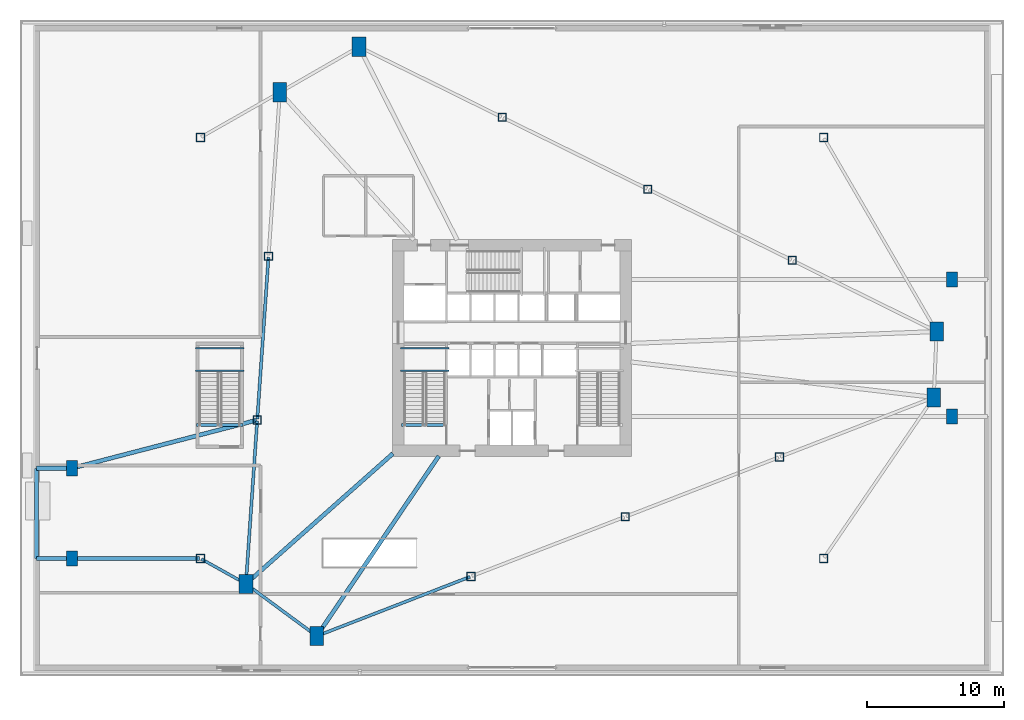
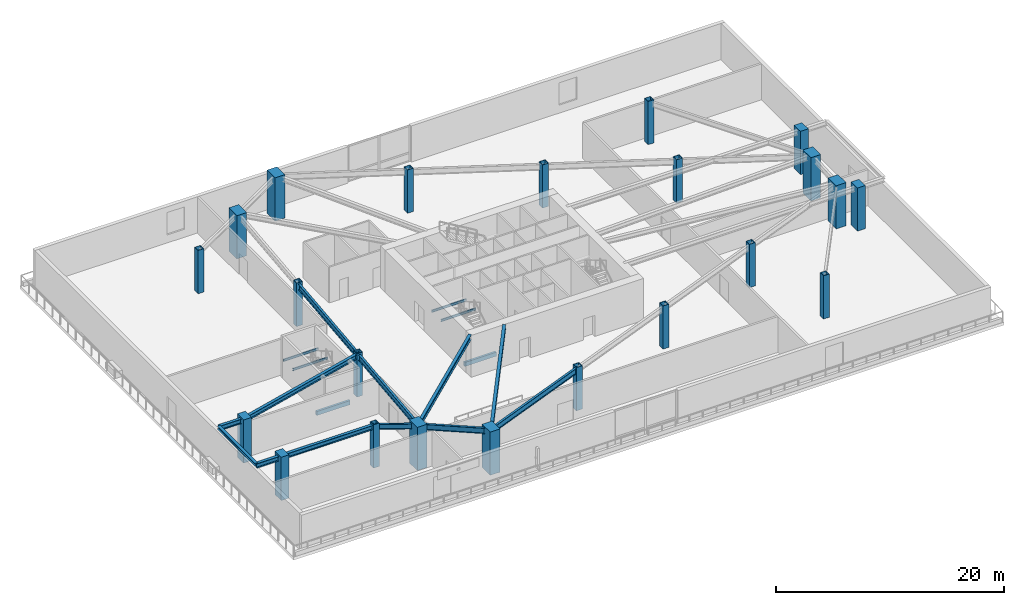
# One storey, part 1 of 14: 22 columns, 18 beams.
"""IFC4 building model written with IfcOpenShell, lengths in metres."""

from ifc_helpers import new_model, si_unit, direction, frame, origin, origin_2d, place, context, subcontext, project, spatial, rectangle, hollow_rectangle, i_section, extrude, source, transform, mapped, material, material_profile, profile_set, type_object, element, save


model = new_model("IFC4")

# Units and contexts
model_context = context("Model", 3, precision=1e-05, world=origin(), true_north=direction((0.0, 1.0)))
body_context = subcontext(model_context, "Body", "Model", "MODEL_VIEW")
ifc_project = project(units=[si_unit("LENGTHUNIT", "METRE"), si_unit("AREAUNIT", "SQUARE_METRE"), si_unit("VOLUMEUNIT", "CUBIC_METRE"), si_unit("PLANEANGLEUNIT", "RADIAN"), si_unit("MASSUNIT", "GRAM", prefix="KILO")], contexts=[model_context])

# Site, building, storey
site_placement = place(None, origin())
site = spatial("IfcSite", under=ifc_project, at=site_placement, CompositionType="ELEMENT")
building_placement = place(site_placement, origin())
building = spatial("IfcBuilding", under=site, at=building_placement, Name="Olszyna Solenne Hotel", CompositionType="ELEMENT")
storey_placement = place(building_placement, frame((0.0, 0.0, 5.39990234375)))
storey = spatial("IfcBuildingStorey", under=building, at=storey_placement, Name="L01", CompositionType="ELEMENT", Elevation=5.39990234375)

# Columns
ifc_material_1 = material(Name="Concrete C60/75", Category="concrete")
ifc_material_profile_1 = material_profile(ifc_material_1, rectangle(XDim=1.0, YDim=1.39990234375, at=origin_2d()), Name="RC 1400x1000", Category="load-bearing")
ifc_profile_set_1 = profile_set([ifc_material_profile_1], Name="Concrete C60/75")
column_type_1 = type_object("IfcColumnType", Name="COL-P1", PredefinedType="COLUMN", material=ifc_profile_set_1)
shared_shape_1 = source(origin(), body_context, "Body", "SweptSolid", [
    extrude(rectangle(XDim=1.0, YDim=1.39990234375, at=origin_2d()), origin(), (0.0, 0.0, 1.0), 4.635009765625),
])
for number, where, z_axis, x_axis, name in (
    (1, (68.858154296875, 22.984619140625, 0.0), (0.0, 0.0, 1.0), (1.0, 0.0, 0.0), "Podium mega-column COL-P1 C-L01-P1-01"),
    (2, (69.072509765625, 27.802978515625, 0.0), (0.0, 0.0, 1.0), (1.0, 0.0, 0.0), "Podium mega-column COL-P1 C-L01-P1-02"),
    (3, (26.808837890625, 48.6416015625, 0.0), (0.0, 0.0, 1.0), (1.0, 0.0, 0.0), "Podium mega-column COL-P1 C-L01-P1-03"),
    (4, (21.014404296875, 45.309326171875, 0.0), (0.0, 0.0, 1.0), (1.0, 0.0, 0.0), "Podium mega-column COL-P1 C-L01-P1-04"),
    (5, (18.53173828125, 9.34130859375, 0.0), (0.0, 0.0, 1.0), (1.0, 0.0, 0.0), "Podium mega-column COL-P1 C-L01-P1-05"),
    (6, (23.71435546875, 5.520263671875, 0.0), (0.0, 0.0, 1.0), (1.0, 0.0, 0.0), "Podium mega-column COL-P1 C-L01-P1-06"),
):
    element("IfcColumn", number, at=place(storey_placement, frame(where, z_axis=z_axis, x_axis=x_axis)), inside=storey, type_object=column_type_1, Name=name, PredefinedType="COLUMN", context=body_context, shape_type="MappedRepresentation", body=[
        mapped(shared_shape_1, transform((0.0, 0.0, 0.0), x_axis=(1.0, 0.0, 0.0), y_axis=(0.0, 1.0, 0.0), z_axis=(0.0, 0.0, 1.0), scale=1.0)),
    ])
ifc_material_2 = material(Name="Steel S460M", Category="steel")
ifc_material_profile_2 = material_profile(ifc_material_2, hollow_rectangle(XDim=0.60009765625, YDim=0.60009765625, WallThickness=0.034912109375, at=origin_2d()), Name="SHS 600x600x35", Category="load-bearing")
ifc_profile_set_2 = profile_set([ifc_material_profile_2], Name="Steel S460M")
column_type_2 = type_object("IfcColumnType", Name="COL-P2", PredefinedType="COLUMN", material=ifc_profile_set_2)
shared_shape_2 = source(origin(), body_context, "Body", "SweptSolid", [
    extrude(hollow_rectangle(XDim=0.60009765625, YDim=0.60009765625, WallThickness=0.034912109375, at=origin_2d()), origin(), (0.0, 0.0, 1.0), 4.635009765625),
])
for number, where, z_axis, x_axis, name in (
    (7, (15.199951171875, 11.199951171875, 0.0), (0.0, 0.0, 1.0), (1.0, 0.0, 0.0), "Podium mega-column COL-P2 C-L01-P2-01"),
    (8, (15.199951171875, 42.0, 0.0), (0.0, 0.0, 1.0), (1.0, 0.0, 0.0), "Podium mega-column COL-P2 C-L01-P2-02"),
    (9, (60.800048828125, 11.199951171875, 0.0), (0.0, 0.0, 1.0), (1.0, 0.0, 0.0), "Podium mega-column COL-P2 C-L01-P2-03"),
    (10, (60.800048828125, 42.0, 0.0), (0.0, 0.0, 1.0), (1.0, 0.0, 0.0), "Podium mega-column COL-P2 C-L01-P2-04"),
    (11, (58.506591796875, 33.0126953125, 0.0), (0.0, 0.0, 1.0), (1.0, 0.0, 0.0), "Podium transfer-support column COL-P2 C-L01-TG-01"),
    (12, (47.94091796875, 38.222412109375, 0.0), (0.0, 0.0, 1.0), (1.0, 0.0, 0.0), "Podium transfer-support column COL-P2 C-L01-TG-02"),
    (13, (37.287109375, 43.47509765625, 0.0), (0.0, 0.0, 1.0), (1.0, 0.0, 0.0), "Podium transfer-support column COL-P2 C-L01-TG-03"),
    (14, (20.186767578125, 33.320068359375, 0.0), (0.0, 0.0, 1.0), (1.0, 0.0, 0.0), "Podium transfer-support column COL-P2 C-L01-TG-04"),
    (15, (19.359375, 21.33056640625, 0.0), (0.0, 0.0, 1.0), (1.0, 0.0, 0.0), "Podium transfer-support column COL-P2 C-L01-TG-05"),
    (16, (35.000244140625, 9.88623046875, 0.0), (0.0, 0.0, 1.0), (1.0, 0.0, 0.0), "Podium transfer-support column COL-P2 C-L01-TG-06"),
    (17, (46.2861328125, 14.25244140625, 0.0), (0.0, 0.0, 1.0), (1.0, 0.0, 0.0), "Podium transfer-support column COL-P2 C-L01-TG-07"),
    (18, (57.572265625, 18.618408203125, 0.0), (0.0, 0.0, 1.0), (1.0, 0.0, 0.0), "Podium transfer-support column COL-P2 C-L01-TG-08"),
):
    element("IfcColumn", number, at=place(storey_placement, frame(where, z_axis=z_axis, x_axis=x_axis)), inside=storey, type_object=column_type_2, Name=name, PredefinedType="COLUMN", context=body_context, shape_type="MappedRepresentation", body=[
        mapped(shared_shape_2, transform((0.0, 0.0, 0.0), x_axis=(1.0, 0.0, 0.0), y_axis=(0.0, 1.0, 0.0), z_axis=(0.0, 0.0, 1.0), scale=1.0)),
    ])
ifc_material_3 = material(Name="Concrete C50/60", Category="concrete")
ifc_material_profile_3 = material_profile(ifc_material_3, rectangle(XDim=0.800048828125, YDim=1.10009765625, at=origin_2d()), Name="RC 1100x800", Category="load-bearing")
ifc_profile_set_3 = profile_set([ifc_material_profile_3], Name="Concrete C50/60")
column_type_3 = type_object("IfcColumnType", Name="COL-B1", PredefinedType="COLUMN", material=ifc_profile_set_3)
shared_shape_3 = source(origin(), body_context, "Body", "SweptSolid", [
    extrude(rectangle(XDim=0.800048828125, YDim=1.10009765625, at=origin_2d()), origin(), (0.0, 0.0, 1.0), 4.635009765625),
])
for number, where, z_axis, x_axis, name in (
    (19, (5.800048828125, 11.199951171875, 0.0), (0.0, 0.0, 1.0), (1.0, 0.0, 0.0), "Terrace support RC column COL-B1 C-L01-TC-118"),
    (20, (5.800048828125, 17.800048828125, 0.0), (0.0, 0.0, 1.0), (1.0, 0.0, 0.0), "Terrace support RC column COL-B1 C-L01-TC-119"),
    (21, (70.199951171875, 21.60009765625, 0.0), (0.0, 0.0, 1.0), (1.0, 0.0, 0.0), "Terrace support RC column COL-B1 C-L01-TC-120"),
    (22, (70.199951171875, 31.60009765625, 0.0), (0.0, 0.0, 1.0), (1.0, 0.0, 0.0), "Terrace support RC column COL-B1 C-L01-TC-121"),
):
    element("IfcColumn", number, at=place(storey_placement, frame(where, z_axis=z_axis, x_axis=x_axis)), inside=storey, type_object=column_type_3, Name=name, PredefinedType="COLUMN", context=body_context, shape_type="MappedRepresentation", body=[
        mapped(shared_shape_3, transform((0.0, 0.0, 0.0), x_axis=(1.0, 0.0, 0.0), y_axis=(0.0, 1.0, 0.0), z_axis=(0.0, 0.0, 1.0), scale=1.0)),
    ])

# Beams
ifc_material_4 = material(Name="Steel S355J2", Category="steel")
ifc_material_profile_4 = material_profile(ifc_material_4, i_section(OverallWidth=0.300048828125, OverallDepth=0.489990234375, WebThickness=0.011962890625, FlangeThickness=0.02294921875, at=origin_2d()), Name="HEA 500", Category="load-bearing")
ifc_profile_set_4 = profile_set([ifc_material_profile_4], Name="Steel S355J2")
beam_type_1 = type_object("IfcBeamType", Name="BM-G1", PredefinedType="BEAM", material=ifc_profile_set_4)
shared_shape_4 = source(origin(), body_context, "Body", "SweptSolid", [
    extrude(i_section(OverallWidth=0.300048828125, OverallDepth=0.489990234375, WebThickness=0.011962890625, FlangeThickness=0.02294921875, at=origin_2d()), origin(), (0.0, 0.0, 1.0), 14.293701171875),
])
beam_1_placement = place(storey_placement, frame((18.591552734375, 9.394287109375, 4.235107421875), z_axis=(0.748292597606, 0.663368817754, 0.0), x_axis=(-0.663368817754, 0.748292597606, 0.0)))
element("IfcBeam", 23, at=beam_1_placement, inside=storey, type_object=beam_type_1, Name="Podium radial girder BM-G1 B-L01-0072", PredefinedType="BEAM", context=body_context, shape_type="MappedRepresentation", body=[
    mapped(shared_shape_4, transform((0.0, 0.0, 0.0), x_axis=(1.0, 0.0, 0.0), y_axis=(0.0, 1.0, 0.0), z_axis=(0.0, 0.0, 1.0), scale=1.0)),
])
shared_shape_5 = source(origin(), body_context, "Body", "SweptSolid", [
    extrude(i_section(OverallWidth=0.300048828125, OverallDepth=0.489990234375, WebThickness=0.011962890625, FlangeThickness=0.02294921875, at=origin_2d()), origin(), (0.0, 0.0, 1.0), 15.830810546875),
])
beam_2_placement = place(storey_placement, frame((23.75927734375, 5.58642578125, 4.235107421875), z_axis=(0.561001243255, 0.827814958228, 0.0), x_axis=(-0.827814958228, 0.561001243255, 0.0)))
element("IfcBeam", 24, at=beam_2_placement, inside=storey, type_object=beam_type_1, Name="Podium radial girder BM-G1 B-L01-0074", PredefinedType="BEAM", context=body_context, shape_type="MappedRepresentation", body=[
    mapped(shared_shape_5, transform((0.0, 0.0, 0.0), x_axis=(1.0, 0.0, 0.0), y_axis=(0.0, 1.0, 0.0), z_axis=(0.0, 0.0, 1.0), scale=1.0)),
])
ifc_material_profile_5 = material_profile(ifc_material_4, i_section(OverallWidth=0.2099609375, OverallDepth=0.550048828125, WebThickness=0.010986328125, FlangeThickness=0.01708984375, at=origin_2d()), Name="IPE 550", Category="load-bearing")
ifc_profile_set_5 = profile_set([ifc_material_profile_5], Name="Steel S355J2")
beam_type_2 = type_object("IfcBeamType", Name="BM-F2", PredefinedType="BEAM", material=ifc_profile_set_5)
shared_shape_6 = source(origin(), body_context, "Body", "SweptSolid", [
    extrude(i_section(OverallWidth=0.2099609375, OverallDepth=0.550048828125, WebThickness=0.010986328125, FlangeThickness=0.01708984375, at=origin_2d()), origin(), (0.0, 0.0, 1.0), 3.655029296875),
])
beam_3_placement = place(storey_placement, frame((15.27001953125, 11.160888671875, 4.205078125), z_axis=(0.873286271012, -0.487207439251, 0.0), x_axis=(0.487207439251, 0.873286271012, 0.0)))
element("IfcBeam", 25, at=beam_3_placement, inside=storey, type_object=beam_type_2, Name="Podium terrace girder BM-F2 B-L01-0085", PredefinedType="BEAM", context=body_context, shape_type="MappedRepresentation", body=[
    mapped(shared_shape_6, transform((0.0, 0.0, 0.0), x_axis=(1.0, 0.0, 0.0), y_axis=(0.0, 1.0, 0.0), z_axis=(0.0, 0.0, 1.0), scale=1.0)),
])
shared_shape_7 = source(origin(), body_context, "Body", "SweptSolid", [
    extrude(i_section(OverallWidth=0.300048828125, OverallDepth=0.489990234375, WebThickness=0.011962890625, FlangeThickness=0.02294921875, at=origin_2d()), origin(), (0.0, 0.0, 1.0), 9.27978515625),
])
beam_4_placement = place(storey_placement, frame((5.860107421875, 11.199951171875, 4.235107421875), z_axis=(1.0, 0.0, 0.0), x_axis=(0.0, 1.0, 0.0)))
element("IfcBeam", 26, at=beam_4_placement, inside=storey, type_object=beam_type_1, Name="Terrace West interior back-span girder BM-G1 B-L01-0075", PredefinedType="BEAM", context=body_context, shape_type="MappedRepresentation", body=[
    mapped(shared_shape_7, transform((0.0, 0.0, 0.0), x_axis=(1.0, 0.0, 0.0), y_axis=(0.0, 1.0, 0.0), z_axis=(0.0, 0.0, 1.0), scale=1.0)),
])
shared_shape_8 = source(origin(), body_context, "Body", "SweptSolid", [
    extrude(i_section(OverallWidth=0.300048828125, OverallDepth=0.489990234375, WebThickness=0.011962890625, FlangeThickness=0.02294921875, at=origin_2d()), origin(), (0.0, 0.0, 1.0), 13.891357421875),
])
beam_5_placement = place(storey_placement, frame((5.858154296875, 17.815185546875, 4.235107421875), z_axis=(0.967734190158, 0.251973286677, 0.0), x_axis=(-0.251973286677, 0.967734190158, 0.0)))
element("IfcBeam", 27, at=beam_5_placement, inside=storey, type_object=beam_type_1, Name="Terrace West interior back-span girder BM-G1 B-L01-0077", PredefinedType="BEAM", context=body_context, shape_type="MappedRepresentation", body=[
    mapped(shared_shape_8, transform((0.0, 0.0, 0.0), x_axis=(1.0, 0.0, 0.0), y_axis=(0.0, 1.0, 0.0), z_axis=(0.0, 0.0, 1.0), scale=1.0)),
])
ifc_material_profile_6 = material_profile(ifc_material_4, i_section(OverallWidth=0.300048828125, OverallDepth=0.31005859375, WebThickness=0.009033203125, FlangeThickness=0.015380859375, at=origin_2d()), Name="HEA 320", Category="load-bearing")
ifc_profile_set_6 = profile_set([ifc_material_profile_6], Name="Steel S355J2")
beam_type_3 = type_object("IfcBeamType", Name="BM-G3", PredefinedType="BEAM", material=ifc_profile_set_6)
shared_shape_9 = source(origin(), body_context, "Body", "SweptSolid", [
    extrude(i_section(OverallWidth=0.300048828125, OverallDepth=0.31005859375, WebThickness=0.009033203125, FlangeThickness=0.015380859375, at=origin_2d()), origin(), (0.0, 0.0, 1.0), 6.60009765625),
])
beam_6_placement = place(storey_placement, frame((3.199951171875, 11.199951171875, 4.3251953125), z_axis=(0.0, 1.0, 0.0), x_axis=(-1.0, 0.0, 0.0)))
element("IfcBeam", 28, at=beam_6_placement, inside=storey, type_object=beam_type_3, Name="Terrace West rim beam BM-G3 B-L01-0079", PredefinedType="BEAM", context=body_context, shape_type="MappedRepresentation", body=[
    mapped(shared_shape_9, transform((0.0, 0.0, 0.0), x_axis=(1.0, 0.0, 0.0), y_axis=(0.0, 1.0, 0.0), z_axis=(0.0, 0.0, 1.0), scale=1.0)),
])
ifc_material_profile_7 = material_profile(ifc_material_4, i_section(OverallWidth=0.219970703125, OverallDepth=0.60009765625, WebThickness=0.011962890625, FlangeThickness=0.01904296875, at=origin_2d()), Name="IPE 600", Category="load-bearing")
ifc_profile_set_7 = profile_set([ifc_material_profile_7], Name="Steel S355J2")
beam_type_4 = type_object("IfcBeamType", Name="BM-F1", PredefinedType="BEAM", material=ifc_profile_set_7)
shared_shape_10 = source(origin(), body_context, "Body", "SweptSolid", [
    extrude(i_section(OverallWidth=0.219970703125, OverallDepth=0.60009765625, WebThickness=0.011962890625, FlangeThickness=0.01904296875, at=origin_2d()), origin(), (0.0, 0.0, 1.0), 11.85791015625),
])
for number, where, z_axis, x_axis, name in (
    (29, (20.181396484375, 33.240234375, 4.18017578125), (-0.068869217947, -0.997625696752, 0.0), (0.997625696752, -0.068869217947, 0.0), "Podium ring girder BM-F1 BRG-L01-42"),
    (30, (19.353759765625, 21.250732421875, 4.18017578125), (-0.068869217947, -0.997625696752, 0.0), (0.997625696752, -0.068869217947, 0.0), "Podium ring girder BM-F1 BRG-L01-43"),
):
    element("IfcBeam", number, at=place(storey_placement, frame(where, z_axis=z_axis, x_axis=x_axis)), inside=storey, type_object=beam_type_4, Name=name, PredefinedType="BEAM", context=body_context, shape_type="MappedRepresentation", body=[
        mapped(shared_shape_10, transform((0.0, 0.0, 0.0), x_axis=(1.0, 0.0, 0.0), y_axis=(0.0, 1.0, 0.0), z_axis=(0.0, 0.0, 1.0), scale=1.0)),
    ])
shared_shape_11 = source(origin(), body_context, "Body", "SweptSolid", [
    extrude(i_section(OverallWidth=0.219970703125, OverallDepth=0.60009765625, WebThickness=0.011962890625, FlangeThickness=0.01904296875, at=origin_2d()), origin(), (0.0, 0.0, 1.0), 6.27880859375),
])
beam_7_placement = place(storey_placement, frame((18.59619140625, 9.293701171875, 4.18017578125), z_axis=(0.804881840641, -0.593435103955, 0.0), x_axis=(0.593435103955, 0.804881840641, 0.0)))
element("IfcBeam", 31, at=beam_7_placement, inside=storey, type_object=beam_type_4, Name="Podium ring girder BM-F1 B-L01-0071", PredefinedType="BEAM", context=body_context, shape_type="MappedRepresentation", body=[
    mapped(shared_shape_11, transform((0.0, 0.0, 0.0), x_axis=(1.0, 0.0, 0.0), y_axis=(0.0, 1.0, 0.0), z_axis=(0.0, 0.0, 1.0), scale=1.0)),
])
shared_shape_12 = source(origin(), body_context, "Body", "SweptSolid", [
    extrude(i_section(OverallWidth=0.219970703125, OverallDepth=0.60009765625, WebThickness=0.011962890625, FlangeThickness=0.01904296875, at=origin_2d()), origin(), (0.0, 0.0, 1.0), 11.941162109375),
])
beam_8_placement = place(storey_placement, frame((23.788818359375, 5.549072265625, 4.18017578125), z_axis=(0.932645120915, 0.360795064314, 0.0), x_axis=(-0.360795064314, 0.932645120915, 0.0)))
element("IfcBeam", 32, at=beam_8_placement, inside=storey, type_object=beam_type_4, Name="Podium ring girder BM-F1 B-L01-0073", PredefinedType="BEAM", context=body_context, shape_type="MappedRepresentation", body=[
    mapped(shared_shape_12, transform((0.0, 0.0, 0.0), x_axis=(1.0, 0.0, 0.0), y_axis=(0.0, 1.0, 0.0), z_axis=(0.0, 0.0, 1.0), scale=1.0)),
])
shared_shape_13 = source(origin(), body_context, "Body", "SweptSolid", [
    extrude(i_section(OverallWidth=0.300048828125, OverallDepth=0.489990234375, WebThickness=0.011962890625, FlangeThickness=0.02294921875, at=origin_2d()), origin(), (0.0, 0.0, 1.0), 2.5400390625),
])
for number, where, z_axis, x_axis, name in (
    (33, (3.199951171875, 11.199951171875, 4.235107421875), (1.0, 0.0, 0.0), (0.0, 1.0, 0.0), "Terrace West overhang girder BM-G1 B-L01-0076"),
    (34, (3.199951171875, 17.800048828125, 4.235107421875), (1.0, 0.0, 0.0), (0.0, 1.0, 0.0), "Terrace West overhang girder BM-G1 B-L01-0078"),
):
    element("IfcBeam", number, at=place(storey_placement, frame(where, z_axis=z_axis, x_axis=x_axis)), inside=storey, type_object=beam_type_1, Name=name, PredefinedType="BEAM", context=body_context, shape_type="MappedRepresentation", body=[
        mapped(shared_shape_13, transform((0.0, 0.0, 0.0), x_axis=(1.0, 0.0, 0.0), y_axis=(0.0, 1.0, 0.0), z_axis=(0.0, 0.0, 1.0), scale=1.0)),
    ])
ifc_material_profile_8 = material_profile(ifc_material_4, i_section(OverallWidth=0.1201171875, OverallDepth=0.239990234375, WebThickness=0.006103515625, FlangeThickness=0.009765625, at=origin_2d()), Name="IPE 240", Category="load-bearing")
ifc_profile_set_8 = profile_set([ifc_material_profile_8], Name="Steel S355J2")
beam_type_5 = type_object("IfcBeamType", Name="JS-03", PredefinedType="JOIST", material=ifc_profile_set_8)
shared_shape_14 = source(origin(), body_context, "Body", "SweptSolid", [
    extrude(i_section(OverallWidth=0.1201171875, OverallDepth=0.239990234375, WebThickness=0.006103515625, FlangeThickness=0.009765625, at=origin_2d()), origin(), (0.0, 0.0, 1.0), 3.539794921875),
])
for number, where, z_axis, x_axis, name in (
    (35, (33.3798828125, 24.93994140625, 2.0751953125), (-1.0, 0.0, 0.0), (0.0, -1.0, 0.0), "Stair landing support beam JS-03 SLB-ST1-0007"),
    (36, (33.3798828125, 26.580078125, 2.0751953125), (-1.0, 0.0, 0.0), (0.0, -1.0, 0.0), "Stair landing support beam JS-03 SLB-ST1-0008"),
    (37, (18.3798828125, 24.93994140625, 2.0751953125), (-1.0, 0.0, 0.0), (0.0, -1.0, 0.0), "Stair landing support beam JS-03 SLB-ST4-0720"),
    (38, (18.3798828125, 26.580078125, 2.0751953125), (-1.0, 0.0, 0.0), (0.0, -1.0, 0.0), "Stair landing support beam JS-03 SLB-ST4-0721"),
):
    element("IfcBeam", number, at=place(storey_placement, frame(where, z_axis=z_axis, x_axis=x_axis)), inside=storey, type_object=beam_type_5, Name=name, PredefinedType="JOIST", context=body_context, shape_type="MappedRepresentation", body=[
        mapped(shared_shape_14, transform((0.0, 0.0, 0.0), x_axis=(1.0, 0.0, 0.0), y_axis=(0.0, 1.0, 0.0), z_axis=(0.0, 0.0, 1.0), scale=1.0)),
    ])
ifc_material_profile_9 = material_profile(ifc_material_3, rectangle(XDim=0.219970703125, YDim=0.43994140625, at=origin_2d()), Name="RC 220x440", Category="load-bearing")
ifc_profile_set_9 = profile_set([ifc_material_profile_9], Name="Concrete C50/60")
beam_type_6 = type_object("IfcBeamType", Name="BM-ST1", PredefinedType="BEAM", material=ifc_profile_set_9)
shared_shape_15 = source(origin(), body_context, "Body", "SweptSolid", [
    extrude(rectangle(XDim=0.219970703125, YDim=0.43994140625, at=origin_2d()), origin(), (0.0, 0.0, 1.0), 3.18017578125),
])
beam_9_placement = place(storey_placement, frame((33.10009765625, 20.97998046875, -0.204833984375), z_axis=(-1.0, 0.0, 0.0), x_axis=(0.0, -1.0, 0.0)))
element("IfcBeam", 39, at=beam_9_placement, inside=storey, type_object=beam_type_6, Name="Concrete stair trimmer beam BM-ST1 SHB-ST1-0163", PredefinedType="BEAM", context=body_context, shape_type="MappedRepresentation", body=[
    mapped(shared_shape_15, transform((0.0, 0.0, 0.0), x_axis=(1.0, 0.0, 0.0), y_axis=(0.0, 1.0, 0.0), z_axis=(0.0, 0.0, 1.0), scale=1.0)),
])
shared_shape_16 = source(origin(), body_context, "Body", "SweptSolid", [
    extrude(rectangle(XDim=0.219970703125, YDim=0.43994140625, at=origin_2d()), origin(), (0.0, 0.0, 1.0), 3.380126953125),
])
beam_10_placement = place(storey_placement, frame((18.300048828125, 20.97998046875, -0.204833984375), z_axis=(-1.0, 0.0, 0.0), x_axis=(0.0, -1.0, 0.0)))
element("IfcBeam", 40, at=beam_10_placement, inside=storey, type_object=beam_type_6, Name="Concrete stair trimmer beam BM-ST1 SHB-ST4-0727", PredefinedType="BEAM", context=body_context, shape_type="MappedRepresentation", body=[
    mapped(shared_shape_16, transform((0.0, 0.0, 0.0), x_axis=(1.0, 0.0, 0.0), y_axis=(0.0, 1.0, 0.0), z_axis=(0.0, 0.0, 1.0), scale=1.0)),
])

save(model, "model.ifc")
